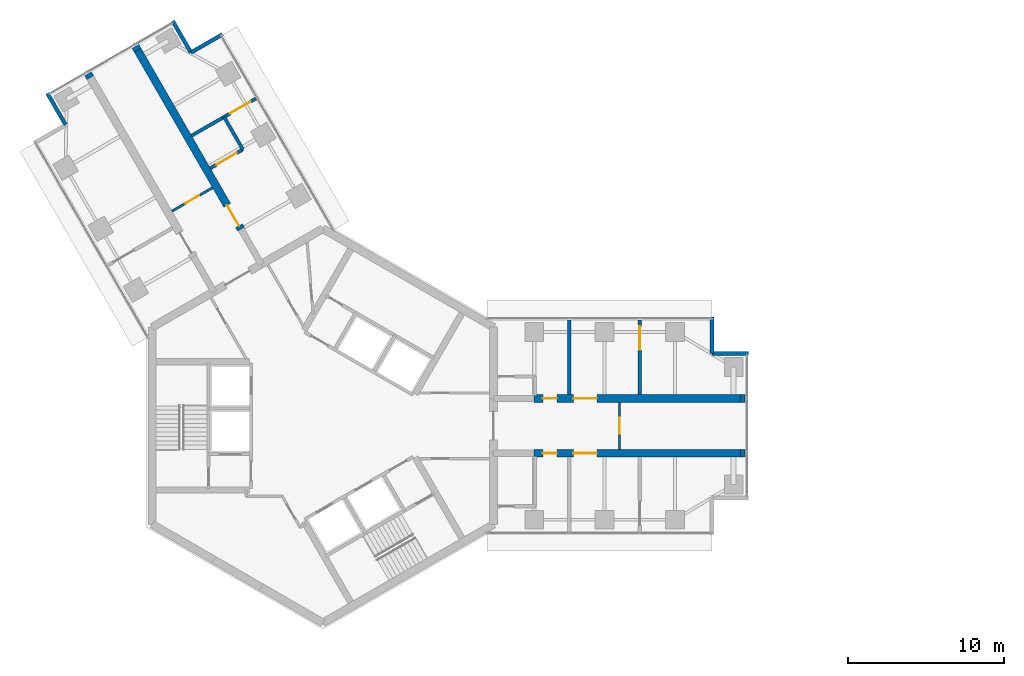
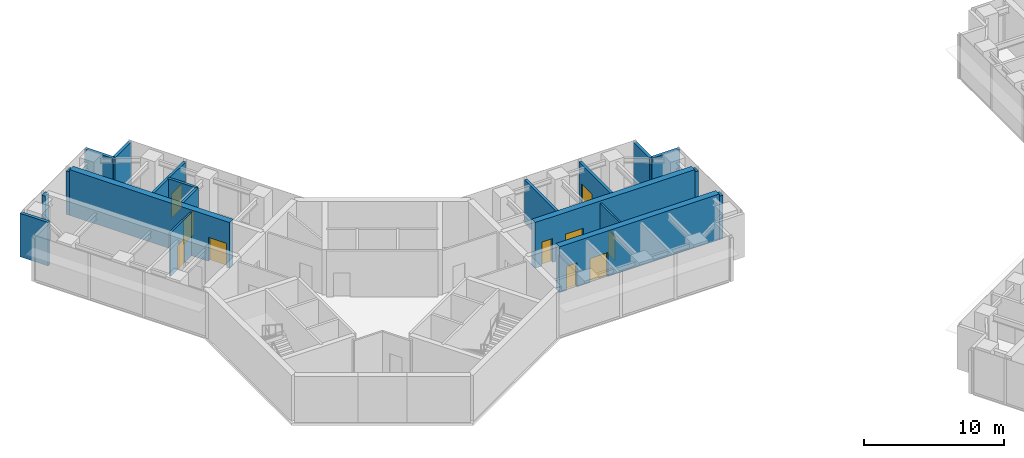
# One storey, part 13 of 17: 19 walls, 10 doors, 10 openings.
"""IFC4 building model written with IfcOpenShell, lengths in metres."""

from ifc_helpers import new_model, si_unit, direction, frame, frame_2d, origin, place, context, subcontext, project, spatial, rectangle, extrude, material, layer, layer_set, type_object, element, fill, save


model = new_model("IFC4")

# Units and contexts
model_context = context("Model", 3, precision=1e-05, world=origin(), true_north=direction((0.0, 1.0)))
body_context = subcontext(model_context, "Body", "Model", "MODEL_VIEW")
ifc_project = project(units=[si_unit("LENGTHUNIT", "METRE"), si_unit("AREAUNIT", "SQUARE_METRE"), si_unit("VOLUMEUNIT", "CUBIC_METRE"), si_unit("PLANEANGLEUNIT", "RADIAN"), si_unit("MASSUNIT", "GRAM", prefix="KILO")], contexts=[model_context])

# Site, building, storey
site_placement = place(None, origin())
site = spatial("IfcSite", under=ifc_project, at=site_placement, CompositionType="ELEMENT")
building_placement = place(site_placement, origin())
building = spatial("IfcBuilding", under=site, at=building_placement, Name="Upepo Twin Towers", CompositionType="ELEMENT")
storey_placement = place(building_placement, frame((0.0, 0.0, 186.5)))
storey = spatial("IfcBuildingStorey", under=building, at=storey_placement, Name="L45", CompositionType="ELEMENT", Elevation=186.5)

# Wall
ifc_material_1 = material(Name="Concrete blockwork, plastered both faces", Category="masonry")
ifc_layer_1 = layer(ifc_material_1, 0.215087890625)
ifc_layer_set_1 = layer_set([ifc_layer_1], Name="Blockwork partition 215")
wall_type_1 = type_object("IfcWallType", Name="Blockwork partition 215", PredefinedType="PARTITIONING", material=ifc_layer_set_1)
wall_1_placement = place(storey_placement, frame((15.75, 2.0, 0.0), z_axis=(0.0, 0.0, 1.0), x_axis=(0.0, 1.0, 0.0)))
element("IfcWall", 1, at=wall_1_placement, inside=storey, type_object=wall_type_1, Name="T1 partition AL at 15.75", PredefinedType="PARTITIONING", context=body_context, shape_type="SweptSolid", body=[
    extrude(rectangle(XDim=4.75, YDim=0.215087890625, at=frame_2d((2.375, 0.0))), origin(), (0.0, 0.0, 1.0), 3.800048828125),
])

# Wall, opening, door
wall_2_placement = place(storey_placement, frame((20.25, 2.0, 0.0), z_axis=(0.0, 0.0, 1.0), x_axis=(0.0, 1.0, 0.0)))
wall_2 = element("IfcWall", 2, at=wall_2_placement, inside=storey, type_object=wall_type_1, Name="T1 partition AL at 20.25", PredefinedType="PARTITIONING", context=body_context, shape_type="SweptSolid", body=[
    extrude(rectangle(XDim=4.75, YDim=0.215087890625, at=frame_2d((2.375, 0.0))), origin(), (0.0, 0.0, 1.0), 3.800048828125),
])
opening_1_placement = place(wall_2_placement, frame((2.85009765625, 0.0, 0.0)))
opening_1 = element("IfcOpeningElement", 3, at=opening_1_placement, cuts=wall_2, Name="Opening D13", PredefinedType="OPENING", context=body_context, shape_type="SweptSolid", body=[
    extrude(rectangle(XDim=1.5, YDim=2.10009765625, at=frame_2d((0.75, 1.050048828125))), frame((0.0, 0.117431640625, 0.0), z_axis=(0.0, -1.0, 0.0), x_axis=(1.0, 0.0, 0.0)), (0.0, 0.0, 1.0), 0.235107421875),
])
ifc_material_2 = material(Name="Timber doorset", Category="wood")
door_type_1 = type_object("IfcDoorType", Name="Double door 1500 FD30", OperationType="DOUBLE_DOOR_SINGLE_SWING", PredefinedType="DOOR", material=ifc_material_2)
door_1_placement = place(opening_1_placement, origin())
door_1 = element("IfcDoor", 4, at=door_1_placement, inside=storey, type_object=door_type_1, Name="T1 L45 connecting door", OperationType="DOUBLE_DOOR_SINGLE_SWING", OverallHeight=2.10009765625, OverallWidth=1.5, PredefinedType="DOOR", context=body_context, shape_type="SweptSolid", body=[
    extrude(rectangle(XDim=1.5, YDim=2.10009765625, at=frame_2d((0.75, 1.050048828125))), frame((0.0, 0.02490234375, 0.0), z_axis=(0.0, -1.0, 0.0), x_axis=(1.0, 0.0, 0.0)), (0.0, 0.0, 1.0), 0.050048828125),
])
fill(opening_1, door_1)

wall_3_placement = place(storey_placement, frame((-8.39306640625, 18.537109375, 0.0), z_axis=(0.0, 0.0, 1.0), x_axis=(0.866033238375, 0.499986429846, 0.0)))
wall_3 = element("IfcWall", 5, at=wall_3_placement, inside=storey, type_object=wall_type_1, Name="T1 partition BR at 20.25", PredefinedType="PARTITIONING", context=body_context, shape_type="SweptSolid", body=[
    extrude(rectangle(XDim=4.750244140625, YDim=0.215087890625, at=frame_2d((2.375, 0.0))), origin(), (0.0, 0.0, 1.0), 3.800048828125),
])
opening_2_placement = place(wall_3_placement, frame((2.85009765625, 0.0, 0.0)))
opening_2 = element("IfcOpeningElement", 6, at=opening_2_placement, cuts=wall_3, Name="Opening D13", PredefinedType="OPENING", context=body_context, shape_type="SweptSolid", body=[
    extrude(rectangle(XDim=1.5, YDim=2.10009765625, at=frame_2d((0.75, 1.050048828125))), frame((0.0, 0.117431640625, 0.0), z_axis=(0.0, -1.0, 0.0), x_axis=(1.0, 0.0, 0.0)), (0.0, 0.0, 1.0), 0.235107421875),
])
door_2_placement = place(opening_2_placement, origin())
door_2 = element("IfcDoor", 7, at=door_2_placement, inside=storey, type_object=door_type_1, Name="T1 L45 connecting door", OperationType="DOUBLE_DOOR_SINGLE_SWING", OverallHeight=2.10009765625, OverallWidth=1.5, PredefinedType="DOOR", context=body_context, shape_type="SweptSolid", body=[
    extrude(rectangle(XDim=1.5, YDim=2.10009765625, at=frame_2d((0.75, 1.050048828125))), frame((0.0, 0.02490234375, 0.0), z_axis=(0.0, -1.0, 0.0), x_axis=(1.0, 0.0, 0.0)), (0.0, 0.0, 1.0), 0.050048828125),
])
fill(opening_2, door_2)

# Wall
wall_4_placement = place(storey_placement, frame((-5.114501953125, 17.658447265625, 0.0), z_axis=(0.0, 0.0, 1.0), x_axis=(-0.499957262057, 0.866050077142, 0.0)))
element("IfcWall", 8, at=wall_4_placement, inside=storey, type_object=wall_type_1, Name="T1 inner room partition BR at 17.85", PredefinedType="PARTITIONING", context=body_context, shape_type="SweptSolid", body=[
    extrude(rectangle(XDim=2.400146484375, YDim=0.215087890625, at=frame_2d((1.2001953125, 0.0))), origin(), (0.0, 0.0, 1.0), 3.800048828125),
])

# Wall, opening, door
wall_5_placement = place(storey_placement, frame((-7.19287109375, 16.45849609375, 0.0), z_axis=(0.0, 0.0, 1.0), x_axis=(0.866024647952, 0.500001309137, 0.0)))
wall_5 = element("IfcWall", 9, at=wall_5_placement, inside=storey, type_object=wall_type_1, Name="T1 inner room partition BR end at 17.85", PredefinedType="PARTITIONING", context=body_context, shape_type="SweptSolid", body=[
    extrude(rectangle(XDim=2.39990234375, YDim=0.215087890625, at=frame_2d((1.199951171875, 0.0))), origin(), (0.0, 0.0, 1.0), 3.800048828125),
])
opening_3_placement = place(wall_5_placement, frame((0.449951171875, 0.0, 0.0)))
opening_3 = element("IfcOpeningElement", 10, at=opening_3_placement, cuts=wall_5, Name="Opening D13", PredefinedType="OPENING", context=body_context, shape_type="SweptSolid", body=[
    extrude(rectangle(XDim=1.5, YDim=2.10009765625, at=frame_2d((0.75, 1.050048828125))), frame((0.0, 0.117431640625, 0.0), z_axis=(0.0, -1.0, 0.0), x_axis=(1.0, 0.0, 0.0)), (0.0, 0.0, 1.0), 0.235107421875),
])
door_3_placement = place(opening_3_placement, origin())
door_3 = element("IfcDoor", 11, at=door_3_placement, inside=storey, type_object=door_type_1, Name="T1 L45 inner room door", OperationType="DOUBLE_DOOR_SINGLE_SWING", OverallHeight=2.10009765625, OverallWidth=1.5, PredefinedType="DOOR", context=body_context, shape_type="SweptSolid", body=[
    extrude(rectangle(XDim=1.5, YDim=2.10009765625, at=frame_2d((0.75, 1.050048828125))), frame((0.0, 0.02490234375, 0.0), z_axis=(0.0, -1.0, 0.0), x_axis=(1.0, 0.0, 0.0)), (0.0, 0.0, 1.0), 0.050048828125),
])
fill(opening_3, door_3)

# Walls
ifc_material_3 = material(Name="Dense concrete blockwork", Category="masonry")
ifc_layer_2 = layer(ifc_material_3, 0.5)
ifc_layer_set_2 = layer_set([ifc_layer_2], Name="Buttress closer 500, blockwork with fire-stopping to the curtain wall")
wall_type_2 = type_object("IfcWallType", Name="Buttress closer 500, blockwork with fire-stopping to the curtain wall", PredefinedType="PARTITIONING", material=ifc_layer_set_2)
for number, where, z_axis, x_axis, name in (
    (12, (26.699951171875, 1.75, 0.0), (0.0, 0.0, 1.0), (1.0, 0.0, 0.0), "T1 L45 wing A buttress closer L"),
    (13, (26.699951171875, -1.75, 0.0), (0.0, 0.0, 1.0), (1.0, 0.0, 0.0), "T1 L45 wing A buttress closer R"),
    (14, (-14.865478515625, 22.247802734375, 0.0), (0.0, 0.0, 1.0), (-0.500065409566, 0.86598763626, 0.0), "T1 L45 wing B buttress closer L"),
    (15, (-11.83447265625, 23.997802734375, 0.0), (0.0, 0.0, 1.0), (-0.500065409566, 0.86598763626, 0.0), "T1 L45 wing B buttress closer R"),
):
    element("IfcWall", number, at=place(storey_placement, frame(where, z_axis=z_axis, x_axis=x_axis)), inside=storey, type_object=wall_type_2, Name=name, PredefinedType="PARTITIONING", context=body_context, shape_type="SweptSolid", body=[
        extrude(rectangle(XDim=0.28759765625, YDim=0.5, at=frame_2d((0.143798828125, 0.0))), origin(), (0.0, 0.0, 1.0), 3.800048828125),
    ])

# Wall, openings, doors
ifc_material_4 = material(Name="Concrete C60/75", Category="concrete")
ifc_layer_3 = layer(ifc_material_4, 0.5)
ifc_layer_set_3 = layer_set([ifc_layer_3], Name="Concrete C60/75")
wall_type_3 = type_object("IfcWallType", Name="Buttress wall 500 RC", PredefinedType="SHEAR", material=ifc_layer_set_3)
wall_6_placement = place(storey_placement, frame((13.5, 1.75, 0.0), z_axis=(0.0, 0.0, 1.0), x_axis=(1.0, 0.0, 0.0)))
wall_6 = element("IfcWall", 16, at=wall_6_placement, inside=storey, type_object=wall_type_3, Name="T1 wing A buttress wall L part 2", PredefinedType="SHEAR", context=body_context, shape_type="SweptSolid", body=[
    extrude(rectangle(XDim=13.199951171875, YDim=0.5, at=frame_2d((6.60009765625, 0.0))), origin(), (0.0, 0.0, 1.0), 4.0),
])
opening_4_placement = place(wall_6_placement, frame((0.550048828125, 0.0, 0.0)))
opening_4 = element("IfcOpeningElement", 17, at=opening_4_placement, cuts=wall_6, Name="Opening D11", PredefinedType="OPENING", context=body_context, shape_type="SweptSolid", body=[
    extrude(rectangle(XDim=0.89990234375, YDim=2.10009765625, at=frame_2d((0.449951171875, 1.050048828125))), frame((0.0, 0.260009765625, 0.0), z_axis=(0.0, -1.0, 0.0), x_axis=(1.0, 0.0, 0.0)), (0.0, 0.0, 1.0), 0.52001953125),
])
opening_5_placement = place(wall_6_placement, frame((2.5, 0.0, 0.0)))
opening_5 = element("IfcOpeningElement", 18, at=opening_5_placement, cuts=wall_6, Name="Opening D13", PredefinedType="OPENING", context=body_context, shape_type="SweptSolid", body=[
    extrude(rectangle(XDim=1.5, YDim=2.10009765625, at=frame_2d((0.75, 1.050048828125))), frame((0.0, 0.260009765625, 0.0), z_axis=(0.0, -1.0, 0.0), x_axis=(1.0, 0.0, 0.0)), (0.0, 0.0, 1.0), 0.52001953125),
])
door_4_placement = place(opening_5_placement, origin())
door_4 = element("IfcDoor", 19, at=door_4_placement, inside=storey, type_object=door_type_1, Name="T1 L45 instrument room door", OperationType="DOUBLE_DOOR_SINGLE_SWING", OverallHeight=2.10009765625, OverallWidth=1.5, PredefinedType="DOOR", context=body_context, shape_type="SweptSolid", body=[
    extrude(rectangle(XDim=1.5, YDim=2.10009765625, at=frame_2d((0.75, 1.050048828125))), frame((0.0, 0.02490234375, 0.0), z_axis=(0.0, -1.0, 0.0), x_axis=(1.0, 0.0, 0.0)), (0.0, 0.0, 1.0), 0.050048828125),
])
fill(opening_5, door_4)
ifc_material_5 = material(Name="Timber doorset", Category="wood")
door_type_2 = type_object("IfcDoorType", Name="Toilet door 900", OperationType="SINGLE_SWING_LEFT", PredefinedType="DOOR", material=ifc_material_5)
door_5_placement = place(opening_4_placement, origin())
door_5 = element("IfcDoor", 20, at=door_5_placement, inside=storey, type_object=door_type_2, Name="T1 L45 toilets door", OperationType="SINGLE_SWING_LEFT", OverallHeight=2.10009765625, OverallWidth=0.89990234375, PredefinedType="DOOR", context=body_context, shape_type="SweptSolid", body=[
    extrude(rectangle(XDim=0.89990234375, YDim=2.10009765625, at=frame_2d((0.449951171875, 1.050048828125))), frame((0.0, 0.02490234375, 0.0), z_axis=(0.0, -1.0, 0.0), x_axis=(1.0, 0.0, 0.0)), (0.0, 0.0, 1.0), 0.050048828125),
])
fill(opening_4, door_5)

wall_7_placement = place(storey_placement, frame((13.5, -1.75, 0.0), z_axis=(0.0, 0.0, 1.0), x_axis=(1.0, 0.0, 0.0)))
wall_7 = element("IfcWall", 21, at=wall_7_placement, inside=storey, type_object=wall_type_3, Name="T1 wing A buttress wall R part 2", PredefinedType="SHEAR", context=body_context, shape_type="SweptSolid", body=[
    extrude(rectangle(XDim=13.199951171875, YDim=0.5, at=frame_2d((6.60009765625, 0.0))), origin(), (0.0, 0.0, 1.0), 4.0),
])
opening_6_placement = place(wall_7_placement, frame((0.550048828125, 0.0, 0.0)))
opening_6 = element("IfcOpeningElement", 22, at=opening_6_placement, cuts=wall_7, Name="Opening D11", PredefinedType="OPENING", context=body_context, shape_type="SweptSolid", body=[
    extrude(rectangle(XDim=0.89990234375, YDim=2.10009765625, at=frame_2d((0.449951171875, 1.050048828125))), frame((0.0, 0.260009765625, 0.0), z_axis=(0.0, -1.0, 0.0), x_axis=(1.0, 0.0, 0.0)), (0.0, 0.0, 1.0), 0.52001953125),
])
opening_7_placement = place(wall_7_placement, frame((2.5, 0.0, 0.0)))
opening_7 = element("IfcOpeningElement", 23, at=opening_7_placement, cuts=wall_7, Name="Opening D13", PredefinedType="OPENING", context=body_context, shape_type="SweptSolid", body=[
    extrude(rectangle(XDim=1.5, YDim=2.10009765625, at=frame_2d((0.75, 1.050048828125))), frame((0.0, 0.260009765625, 0.0), z_axis=(0.0, -1.0, 0.0), x_axis=(1.0, 0.0, 0.0)), (0.0, 0.0, 1.0), 0.52001953125),
])
door_6_placement = place(opening_7_placement, origin())
door_6 = element("IfcDoor", 24, at=door_6_placement, inside=storey, type_object=door_type_1, Name="T1 L45 laboratory prep room door", OperationType="DOUBLE_DOOR_SINGLE_SWING", OverallHeight=2.10009765625, OverallWidth=1.5, PredefinedType="DOOR", context=body_context, shape_type="SweptSolid", body=[
    extrude(rectangle(XDim=1.5, YDim=2.10009765625, at=frame_2d((0.75, 1.050048828125))), frame((0.0, 0.02490234375, 0.0), z_axis=(0.0, -1.0, 0.0), x_axis=(1.0, 0.0, 0.0)), (0.0, 0.0, 1.0), 0.050048828125),
])
fill(opening_7, door_6)
door_7_placement = place(opening_6_placement, origin())
door_7 = element("IfcDoor", 25, at=door_7_placement, inside=storey, type_object=door_type_2, Name="T1 L45 accessible wc door", OperationType="SINGLE_SWING_LEFT", OverallHeight=2.10009765625, OverallWidth=0.89990234375, PredefinedType="DOOR", context=body_context, shape_type="SweptSolid", body=[
    extrude(rectangle(XDim=0.89990234375, YDim=2.10009765625, at=frame_2d((0.449951171875, 1.050048828125))), frame((0.0, 0.02490234375, 0.0), z_axis=(0.0, -1.0, 0.0), x_axis=(1.0, 0.0, 0.0)), (0.0, 0.0, 1.0), 0.050048828125),
])
fill(opening_6, door_7)

# Wall, opening, door
wall_8_placement = place(storey_placement, frame((-5.234375, 12.56640625, 0.0), z_axis=(0.0, 0.0, 1.0), x_axis=(-0.500010103361, 0.866019570528, 0.0)))
wall_8 = element("IfcWall", 26, at=wall_8_placement, inside=storey, type_object=wall_type_3, Name="T1 wing B buttress wall R part 2", PredefinedType="SHEAR", context=body_context, shape_type="SweptSolid", body=[
    extrude(rectangle(XDim=13.199951171875, YDim=0.5, at=frame_2d((6.60009765625, 0.0))), origin(), (0.0, 0.0, 1.0), 4.0),
])
opening_8_placement = place(wall_8_placement, frame((0.25, 0.0, 0.0)))
opening_8 = element("IfcOpeningElement", 27, at=opening_8_placement, cuts=wall_8, Name="Opening D13", PredefinedType="OPENING", context=body_context, shape_type="SweptSolid", body=[
    extrude(rectangle(XDim=1.5, YDim=2.10009765625, at=frame_2d((0.75, 1.050048828125))), frame((0.0, 0.260009765625, 0.0), z_axis=(0.0, -1.0, 0.0), x_axis=(1.0, 0.0, 0.0)), (0.0, 0.0, 1.0), 0.52001953125),
])
door_8_placement = place(opening_8_placement, origin())
door_8 = element("IfcDoor", 28, at=door_8_placement, inside=storey, type_object=door_type_1, Name="T1 L45 engineering laboratory door", OperationType="DOUBLE_DOOR_SINGLE_SWING", OverallHeight=2.10009765625, OverallWidth=1.5, PredefinedType="DOOR", context=body_context, shape_type="SweptSolid", body=[
    extrude(rectangle(XDim=1.5, YDim=2.10009765625, at=frame_2d((0.75, 1.050048828125))), frame((0.0, 0.02490234375, 0.0), z_axis=(0.0, -1.0, 0.0), x_axis=(1.0, 0.0, 0.0)), (0.0, 0.0, 1.0), 0.050048828125),
])
fill(opening_8, door_8)

# Walls
ifc_material_6 = material(Name="Blockwork with anodised aluminium cladding", Category="masonry")
ifc_layer_4 = layer(ifc_material_6, 0.25)
ifc_layer_set_4 = layer_set([ifc_layer_4], Name="Notch cladding wall 250, pale metal")
wall_type_4 = type_object("IfcWallType", Name="Notch cladding wall 250, pale metal", PredefinedType="STANDARD", material=ifc_layer_set_4)
for number, where, z_axis, x_axis, name in (
    (29, (24.875, 6.949951171875, 0.0), (0.0, 0.0, 1.0), (0.0, -1.0, 0.0), "T1 L45 wing A notch wall L1"),
    (30, (24.875, 4.625, 0.0), (0.0, 0.0, 1.0), (1.0, 0.0, 0.0), "T1 L45 wing A notch wall L2"),
    (31, (-16.44287109375, 19.22998046875, 0.0), (0.0, 0.0, 1.0), (-0.500046648681, 0.865998469481, 0.0), "T1 L45 wing B notch wall L2"),
    (32, (-6.418701171875, 25.017333984375, 0.0), (0.0, 0.0, 1.0), (-0.866043940782, -0.499967891604, 0.0), "T1 L45 wing B notch wall R1"),
    (33, (-8.43212890625, 23.85498046875, 0.0), (0.0, 0.0, 1.0), (-0.500046648681, 0.865998469481, 0.0), "T1 L45 wing B notch wall R2"),
):
    element("IfcWall", number, at=place(storey_placement, frame(where, z_axis=z_axis, x_axis=x_axis)), inside=storey, type_object=wall_type_4, Name=name, PredefinedType="STANDARD", context=body_context, shape_type="SweptSolid", body=[
        extrude(rectangle(XDim=2.324951171875, YDim=0.25, at=frame_2d((1.16259765625, 0.0))), origin(), (0.0, 0.0, 1.0), 3.800048828125),
    ])

# Wall, opening, door
ifc_material_7 = material(Name="Gypsum board on steel studs", Category="steel")
ifc_layer_5 = layer(ifc_material_7, 0.14990234375)
ifc_layer_set_5 = layer_set([ifc_layer_5], Name="Teaching partition 150 acoustic")
wall_type_5 = type_object("IfcWallType", Name="Teaching partition 150 acoustic", PredefinedType="PARTITIONING", material=ifc_layer_set_5)
wall_9_placement = place(storey_placement, frame((18.949951171875, -1.5, 0.0), z_axis=(0.0, 0.0, 1.0), x_axis=(0.0, 1.0, 0.0)))
wall_9 = element("IfcWall", 34, at=wall_9_placement, inside=storey, type_object=wall_type_5, Name="T1 corridor end partition A at 18.95", PredefinedType="PARTITIONING", context=body_context, shape_type="SweptSolid", body=[
    extrude(rectangle(XDim=3.0, YDim=0.14990234375, at=frame_2d((1.5, 0.0))), origin(), (0.0, 0.0, 1.0), 3.800048828125),
])
opening_9_placement = place(wall_9_placement, frame((1.0, 0.0, 0.0)))
opening_9 = element("IfcOpeningElement", 35, at=opening_9_placement, cuts=wall_9, Name="Opening D1", PredefinedType="OPENING", context=body_context, shape_type="SweptSolid", body=[
    extrude(rectangle(XDim=1.0, YDim=2.10009765625, at=frame_2d((0.5, 1.050048828125))), frame((0.0, 0.0849609375, 0.0), z_axis=(0.0, -1.0, 0.0), x_axis=(1.0, 0.0, 0.0)), (0.0, 0.0, 1.0), 0.169921875),
])
ifc_material_8 = material(Name="Timber doorset", Category="wood")
door_type_3 = type_object("IfcDoorType", Name="Room door 1000 FD30", OperationType="SINGLE_SWING_LEFT", PredefinedType="DOOR", material=ifc_material_8)
door_9_placement = place(opening_9_placement, origin())
door_9 = element("IfcDoor", 36, at=door_9_placement, inside=storey, type_object=door_type_3, Name="T1 L45 breakout study room door", OperationType="SINGLE_SWING_LEFT", OverallHeight=2.10009765625, OverallWidth=1.0, PredefinedType="DOOR", context=body_context, shape_type="SweptSolid", body=[
    extrude(rectangle(XDim=1.0, YDim=2.10009765625, at=frame_2d((0.5, 1.050048828125))), frame((0.0, 0.02490234375, 0.0), z_axis=(0.0, -1.0, 0.0), x_axis=(1.0, 0.0, 0.0)), (0.0, 0.0, 1.0), 0.050048828125),
])
fill(opening_9, door_9)

wall_10_placement = place(storey_placement, frame((-7.051025390625, 15.212646484375, 0.0), z_axis=(0.0, 0.0, 1.0), x_axis=(-0.866010750942, -0.50002537861, 0.0)))
wall_10 = element("IfcWall", 37, at=wall_10_placement, inside=storey, type_object=wall_type_5, Name="T1 corridor end partition B at 16.70", PredefinedType="PARTITIONING", context=body_context, shape_type="SweptSolid", body=[
    extrude(rectangle(XDim=2.999755859375, YDim=0.14990234375, at=frame_2d((1.5, 0.0))), origin(), (0.0, 0.0, 1.0), 3.800048828125),
])
opening_10_placement = place(wall_10_placement, frame((1.0, 0.0, 0.0)))
opening_10 = element("IfcOpeningElement", 38, at=opening_10_placement, cuts=wall_10, Name="Opening D1", PredefinedType="OPENING", context=body_context, shape_type="SweptSolid", body=[
    extrude(rectangle(XDim=1.0, YDim=2.10009765625, at=frame_2d((0.5, 1.050048828125))), frame((0.0, 0.0849609375, 0.0), z_axis=(0.0, -1.0, 0.0), x_axis=(1.0, 0.0, 0.0)), (0.0, 0.0, 1.0), 0.169921875),
])
door_10_placement = place(opening_10_placement, origin())
door_10 = element("IfcDoor", 39, at=door_10_placement, inside=storey, type_object=door_type_3, Name="T1 L45 breakout study room door", OperationType="SINGLE_SWING_RIGHT", OverallHeight=2.10009765625, OverallWidth=1.0, PredefinedType="DOOR", context=body_context, shape_type="SweptSolid", body=[
    extrude(rectangle(XDim=1.0, YDim=2.10009765625, at=frame_2d((0.5, 1.050048828125))), frame((0.0, 0.02490234375, 0.0), z_axis=(0.0, -1.0, 0.0), x_axis=(1.0, 0.0, 0.0)), (0.0, 0.0, 1.0), 0.050048828125),
])
fill(opening_10, door_10)

save(model, "model.ifc")
